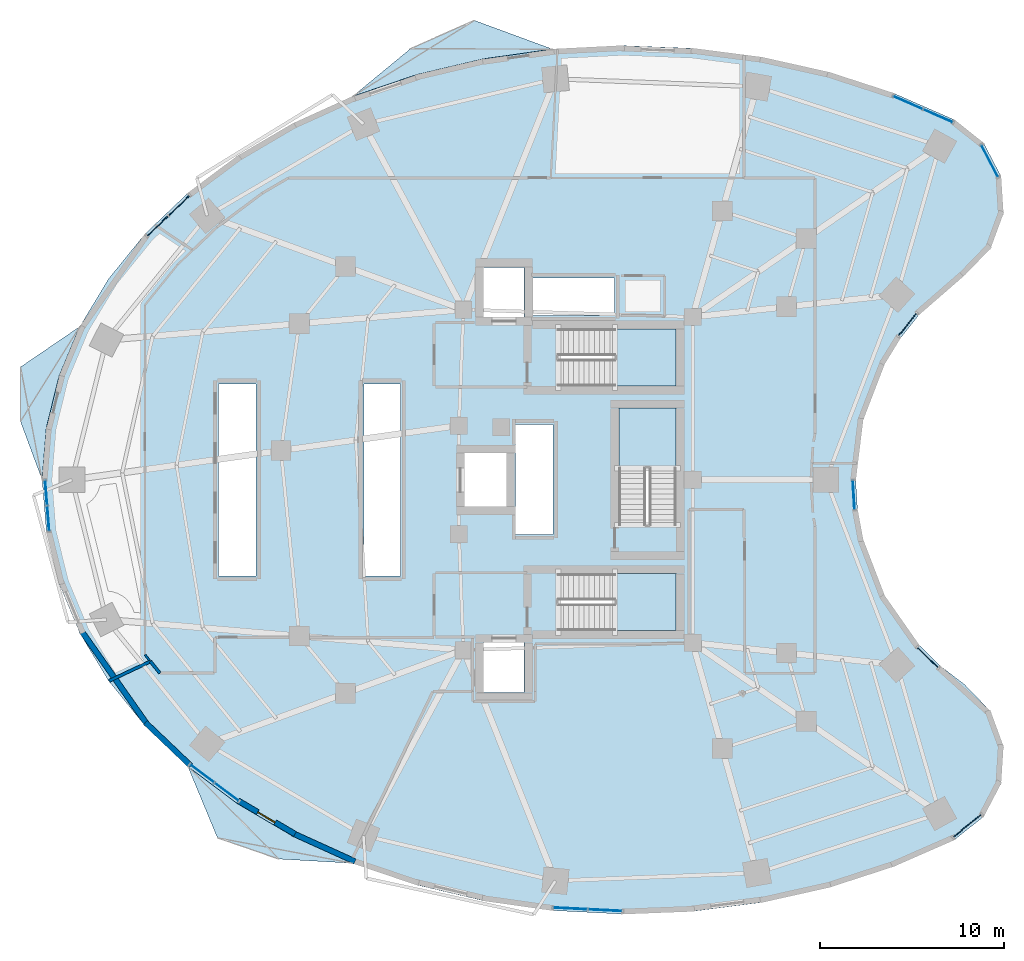
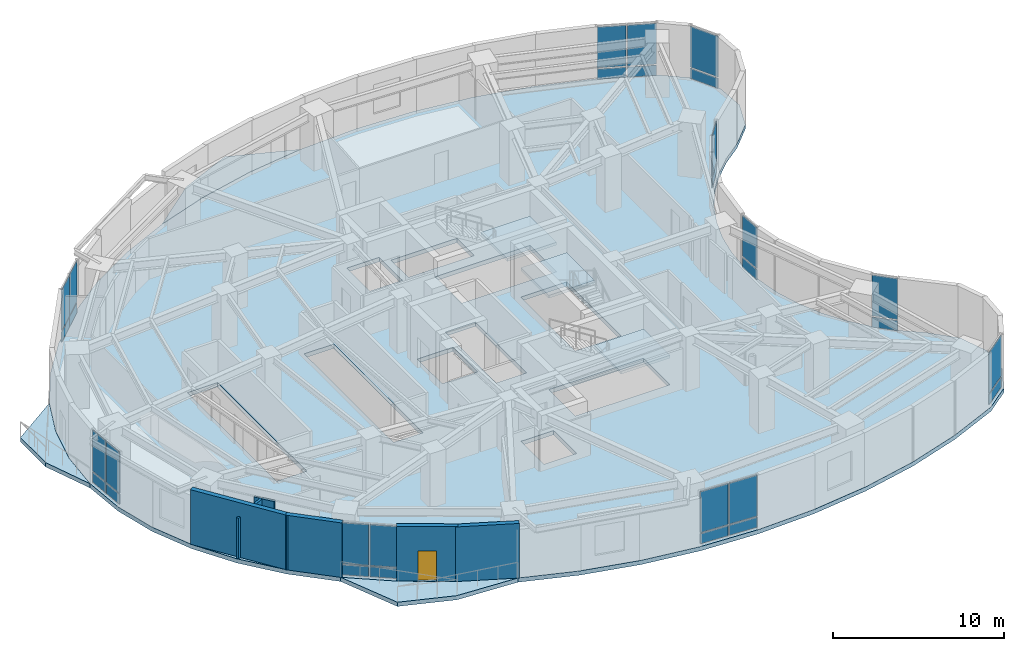
# One storey, part 7 of 13: 30 plates, 7 slabs, 7 walls, 1 door, 1 opening, 13 elements without a shape of their own.
"""IFC4 building model written with IfcOpenShell, lengths in metres."""

from ifc_helpers import new_model, si_unit, direction, frame, frame_2d, origin, origin_2d, place, context, subcontext, project, spatial, polyline, rectangle, outline, extrude, material, layer, layer_set, type_object, element, fill, aggregate, save


model = new_model("IFC4")

# Units and contexts
model_context = context("Model", 3, precision=1e-05, world=origin(), true_north=direction((0.0, 1.0)))
body_context = subcontext(model_context, "Body", "Model", "MODEL_VIEW")
ifc_project = project(units=[si_unit("LENGTHUNIT", "METRE"), si_unit("AREAUNIT", "SQUARE_METRE"), si_unit("VOLUMEUNIT", "CUBIC_METRE"), si_unit("PLANEANGLEUNIT", "RADIAN"), si_unit("MASSUNIT", "GRAM", prefix="KILO")], contexts=[model_context])

# Site, building, storey
site_placement = place(None, origin())
site = spatial("IfcSite", under=ifc_project, at=site_placement, CompositionType="ELEMENT")
building_placement = place(site_placement, origin())
building = spatial("IfcBuilding", under=site, at=building_placement, Name="Korentha Bioscience Tower", CompositionType="ELEMENT")
storey_placement = place(building_placement, frame((0.0, 0.0, 67.800048828125)))
storey = spatial("IfcBuildingStorey", under=building, at=storey_placement, Name="L15", CompositionType="ELEMENT", Elevation=67.800048828125)

# Curtain wall, plates
ifc_material_1 = material(Name="Thermally Broken Aluminium Frame", Category="aluminium")
ifc_layer_1 = layer(ifc_material_1, 0.219970703125, Name="Thermally Broken Aluminium Frame")
ifc_layer_set_1 = layer_set([ifc_layer_1], Name="Thermally Broken Aluminium Frame (CW-T1)")
curtain_wall_type = type_object("IfcCurtainWallType", Name="Standard Bioscience Lab Unitised Curtain Wall CW-T1", PredefinedType="USERDEFINED", material=ifc_layer_set_1)
curtain_wall_1_placement = place(storey_placement, origin())
curtain_wall_1 = element("IfcCurtainWall", 1, at=curtain_wall_1_placement, inside=storey, type_object=curtain_wall_type, Name="L15 Curtain Wall 01", ObjectType="UNITISED", PredefinedType="USERDEFINED")
ifc_material_2 = material(Name="Triple-Glazed Low-E Insulated Glass", Category="glass")
ifc_layer_2 = layer(ifc_material_2, 0.0439453125, Name="Triple-Glazed Low-E Insulated Glass")
ifc_layer_set_2 = layer_set([ifc_layer_2], Name="Triple-Glazed Low-E Insulated Glass (GL-44)")
plate_type = type_object("IfcPlateType", Name="Glazed Panel 44mm", PredefinedType="CURTAIN_PANEL", material=ifc_layer_set_2)
plate_1_placement = place(storey_placement, frame((50.893310546875, 46.780029296875, 0.08984375), z_axis=(0.0, 0.0, 1.0), x_axis=(-0.91593909057, 0.401317308828, 0.0)))
plate_1 = element("IfcPlate", 2, at=plate_1_placement, type_object=plate_type, Name="CW-L15-01 Bay 1 Glazed Panel 1", PredefinedType="CURTAIN_PANEL", context=body_context, shape_type="SweptSolid", body=[
    extrude(rectangle(XDim=1.701171875, YDim=0.0439453125, at=origin_2d()), origin(), (0.0, 0.0, 1.0), 0.715087890625),
])
plate_2_placement = place(storey_placement, frame((50.893310546875, 46.780029296875, 0.89501953125), z_axis=(0.0, 0.0, 1.0), x_axis=(-0.91593909057, 0.401317308828, 0.0)))
plate_2 = element("IfcPlate", 3, at=plate_2_placement, type_object=plate_type, Name="CW-L15-01 Bay 1 Glazed Panel 2", PredefinedType="CURTAIN_PANEL", context=body_context, shape_type="SweptSolid", body=[
    extrude(rectangle(XDim=1.701171875, YDim=0.0439453125, at=origin_2d()), origin(), (0.0, 0.0, 1.0), 2.9150390625),
])
plate_3_placement = place(storey_placement, frame((49.25244140625, 47.498779296875, 0.08984375), z_axis=(0.0, 0.0, 1.0), x_axis=(-0.91593909057, 0.401317308828, 0.0)))
plate_3 = element("IfcPlate", 4, at=plate_3_placement, type_object=plate_type, Name="CW-L15-01 Bay 2 Glazed Panel 1", PredefinedType="CURTAIN_PANEL", context=body_context, shape_type="SweptSolid", body=[
    extrude(rectangle(XDim=1.701171875, YDim=0.0439453125, at=origin_2d()), origin(), (0.0, 0.0, 1.0), 0.715087890625),
])
plate_4_placement = place(storey_placement, frame((49.25244140625, 47.498779296875, 0.89501953125), z_axis=(0.0, 0.0, 1.0), x_axis=(-0.91593909057, 0.401317308828, 0.0)))
plate_4 = element("IfcPlate", 5, at=plate_4_placement, type_object=plate_type, Name="CW-L15-01 Bay 2 Glazed Panel 2", PredefinedType="CURTAIN_PANEL", context=body_context, shape_type="SweptSolid", body=[
    extrude(rectangle(XDim=1.701171875, YDim=0.0439453125, at=origin_2d()), origin(), (0.0, 0.0, 1.0), 2.9150390625),
])
aggregate(curtain_wall_1, [plate_1, plate_2, plate_3, plate_4])

curtain_wall_2_placement = place(storey_placement, origin())
curtain_wall_2 = element("IfcCurtainWall", 6, at=curtain_wall_2_placement, inside=storey, type_object=curtain_wall_type, Name="L15 Curtain Wall 13", ObjectType="UNITISED", PredefinedType="USERDEFINED")
plate_5_placement = place(storey_placement, frame((9.643798828125, 41.9091796875, 0.08984375), z_axis=(0.0, 0.0, 1.0), x_axis=(-0.723641761581, -0.690175775361, 0.0)))
plate_5 = element("IfcPlate", 7, at=plate_5_placement, type_object=plate_type, Name="CW-L15-13 Bay 1 Glazed Panel 1", PredefinedType="CURTAIN_PANEL", context=body_context, shape_type="SweptSolid", body=[
    extrude(rectangle(XDim=1.5263671875, YDim=0.0439453125, at=origin_2d()), origin(), (0.0, 0.0, 1.0), 0.715087890625),
])
plate_6_placement = place(storey_placement, frame((9.643798828125, 41.9091796875, 0.89501953125), z_axis=(0.0, 0.0, 1.0), x_axis=(-0.723641761581, -0.690175775361, 0.0)))
plate_6 = element("IfcPlate", 8, at=plate_6_placement, type_object=plate_type, Name="CW-L15-13 Bay 1 Glazed Panel 2", PredefinedType="CURTAIN_PANEL", context=body_context, shape_type="SweptSolid", body=[
    extrude(rectangle(XDim=1.5263671875, YDim=0.0439453125, at=origin_2d()), origin(), (0.0, 0.0, 1.0), 2.9150390625),
])
plate_7_placement = place(storey_placement, frame((8.47412109375, 40.793701171875, 0.08984375), z_axis=(0.0, 0.0, 1.0), x_axis=(-0.723641761581, -0.690175775361, 0.0)))
plate_7 = element("IfcPlate", 9, at=plate_7_placement, type_object=plate_type, Name="CW-L15-13 Bay 2 Glazed Panel 1", PredefinedType="CURTAIN_PANEL", context=body_context, shape_type="SweptSolid", body=[
    extrude(rectangle(XDim=1.5263671875, YDim=0.0439453125, at=origin_2d()), origin(), (0.0, 0.0, 1.0), 0.715087890625),
])
plate_8_placement = place(storey_placement, frame((8.47412109375, 40.793701171875, 0.89501953125), z_axis=(0.0, 0.0, 1.0), x_axis=(-0.723641761581, -0.690175775361, 0.0)))
plate_8 = element("IfcPlate", 10, at=plate_8_placement, type_object=plate_type, Name="CW-L15-13 Bay 2 Glazed Panel 2", PredefinedType="CURTAIN_PANEL", context=body_context, shape_type="SweptSolid", body=[
    extrude(rectangle(XDim=1.5263671875, YDim=0.0439453125, at=origin_2d()), origin(), (0.0, 0.0, 1.0), 2.9150390625),
])
aggregate(curtain_wall_2, [plate_5, plate_6, plate_7, plate_8])

curtain_wall_3_placement = place(storey_placement, origin())
curtain_wall_3 = element("IfcCurtainWall", 11, at=curtain_wall_3_placement, inside=storey, type_object=curtain_wall_type, Name="L15 Curtain Wall 19", ObjectType="UNITISED", PredefinedType="USERDEFINED")
plate_9_placement = place(storey_placement, frame((2.4169921875, 26.302734375, 0.08984375), z_axis=(0.0, 0.0, 1.0), x_axis=(0.080820466375, -0.996728675325, 0.0)))
plate_9 = element("IfcPlate", 12, at=plate_9_placement, type_object=plate_type, Name="CW-L15-19 Bay 1 Glazed Panel 1", PredefinedType="CURTAIN_PANEL", context=body_context, shape_type="SweptSolid", body=[
    extrude(rectangle(XDim=1.324951171875, YDim=0.0439453125, at=origin_2d()), origin(), (0.0, 0.0, 1.0), 0.715087890625),
])
plate_10_placement = place(storey_placement, frame((2.4169921875, 26.302734375, 0.89501953125), z_axis=(0.0, 0.0, 1.0), x_axis=(0.080820466375, -0.996728675325, 0.0)))
plate_10 = element("IfcPlate", 13, at=plate_10_placement, type_object=plate_type, Name="CW-L15-19 Bay 1 Glazed Panel 2", PredefinedType="CURTAIN_PANEL", context=body_context, shape_type="SweptSolid", body=[
    extrude(rectangle(XDim=1.324951171875, YDim=0.0439453125, at=origin_2d()), origin(), (0.0, 0.0, 1.0), 2.9150390625),
])
plate_11_placement = place(storey_placement, frame((2.531494140625, 24.892333984375, 0.08984375), z_axis=(0.0, 0.0, 1.0), x_axis=(0.080820466375, -0.996728675325, 0.0)))
plate_11 = element("IfcPlate", 14, at=plate_11_placement, type_object=plate_type, Name="CW-L15-19 Bay 2 Glazed Panel 1", PredefinedType="CURTAIN_PANEL", context=body_context, shape_type="SweptSolid", body=[
    extrude(rectangle(XDim=1.324951171875, YDim=0.0439453125, at=origin_2d()), origin(), (0.0, 0.0, 1.0), 0.715087890625),
])
plate_12_placement = place(storey_placement, frame((2.531494140625, 24.892333984375, 0.89501953125), z_axis=(0.0, 0.0, 1.0), x_axis=(0.080820466375, -0.996728675325, 0.0)))
plate_12 = element("IfcPlate", 15, at=plate_12_placement, type_object=plate_type, Name="CW-L15-19 Bay 2 Glazed Panel 2", PredefinedType="CURTAIN_PANEL", context=body_context, shape_type="SweptSolid", body=[
    extrude(rectangle(XDim=1.324951171875, YDim=0.0439453125, at=origin_2d()), origin(), (0.0, 0.0, 1.0), 2.9150390625),
])
aggregate(curtain_wall_3, [plate_9, plate_10, plate_11, plate_12])

curtain_wall_4_placement = place(storey_placement, origin())
curtain_wall_4 = element("IfcCurtainWall", 16, at=curtain_wall_4_placement, inside=storey, type_object=curtain_wall_type, Name="L15 Curtain Wall 25", ObjectType="UNITISED", PredefinedType="USERDEFINED")
plate_13_placement = place(storey_placement, frame((10.892578125, 11.037109375, 0.08984375), z_axis=(0.0, 0.0, 1.0), x_axis=(0.800797909614, -0.598934644145, 0.0)))
plate_13 = element("IfcPlate", 17, at=plate_13_placement, type_object=plate_type, Name="CW-L15-25 Bay 1 Glazed Panel 1", PredefinedType="CURTAIN_PANEL", context=body_context, shape_type="SweptSolid", body=[
    extrude(rectangle(XDim=1.58544921875, YDim=0.0439453125, at=origin_2d()), origin(), (0.0, 0.0, 1.0), 0.715087890625),
])
plate_14_placement = place(storey_placement, frame((10.892578125, 11.037109375, 0.89501953125), z_axis=(0.0, 0.0, 1.0), x_axis=(0.800797909614, -0.598934644145, 0.0)))
plate_14 = element("IfcPlate", 18, at=plate_14_placement, type_object=plate_type, Name="CW-L15-25 Bay 1 Glazed Panel 2", PredefinedType="CURTAIN_PANEL", context=body_context, shape_type="SweptSolid", body=[
    extrude(rectangle(XDim=1.58544921875, YDim=0.0439453125, at=origin_2d()), origin(), (0.0, 0.0, 1.0), 2.9150390625),
])
plate_15_placement = place(storey_placement, frame((12.234375, 10.033447265625, 0.08984375), z_axis=(0.0, 0.0, 1.0), x_axis=(0.800797909614, -0.598934644145, 0.0)))
plate_15 = element("IfcPlate", 19, at=plate_15_placement, type_object=plate_type, Name="CW-L15-25 Bay 2 Glazed Panel 1", PredefinedType="CURTAIN_PANEL", context=body_context, shape_type="SweptSolid", body=[
    extrude(rectangle(XDim=1.58544921875, YDim=0.0439453125, at=origin_2d()), origin(), (0.0, 0.0, 1.0), 0.715087890625),
])
plate_16_placement = place(storey_placement, frame((12.234375, 10.033447265625, 0.89501953125), z_axis=(0.0, 0.0, 1.0), x_axis=(0.800797909614, -0.598934644145, 0.0)))
plate_16 = element("IfcPlate", 20, at=plate_16_placement, type_object=plate_type, Name="CW-L15-25 Bay 2 Glazed Panel 2", PredefinedType="CURTAIN_PANEL", context=body_context, shape_type="SweptSolid", body=[
    extrude(rectangle(XDim=1.58544921875, YDim=0.0439453125, at=origin_2d()), origin(), (0.0, 0.0, 1.0), 2.9150390625),
])
aggregate(curtain_wall_4, [plate_13, plate_14, plate_15, plate_16])

curtain_wall_5_placement = place(storey_placement, origin())
curtain_wall_5 = element("IfcCurtainWall", 21, at=curtain_wall_5_placement, inside=storey, type_object=curtain_wall_type, Name="L15 Curtain Wall 31", ObjectType="UNITISED", PredefinedType="USERDEFINED")
plate_17_placement = place(storey_placement, frame((30.90478515625, 3.70458984375, 0.08984375), z_axis=(0.0, 0.0, 1.0), x_axis=(0.998730551641, -0.050371472279, 0.0)))
plate_17 = element("IfcPlate", 22, at=plate_17_placement, type_object=plate_type, Name="CW-L15-31 Bay 1 Glazed Panel 1", PredefinedType="CURTAIN_PANEL", context=body_context, shape_type="SweptSolid", body=[
    extrude(rectangle(XDim=1.8134765625, YDim=0.0439453125, at=origin_2d()), origin(), (0.0, 0.0, 1.0), 0.715087890625),
])
plate_18_placement = place(storey_placement, frame((30.90478515625, 3.70458984375, 0.89501953125), z_axis=(0.0, 0.0, 1.0), x_axis=(0.998730551641, -0.050371472279, 0.0)))
plate_18 = element("IfcPlate", 23, at=plate_18_placement, type_object=plate_type, Name="CW-L15-31 Bay 1 Glazed Panel 2", PredefinedType="CURTAIN_PANEL", context=body_context, shape_type="SweptSolid", body=[
    extrude(rectangle(XDim=1.8134765625, YDim=0.0439453125, at=origin_2d()), origin(), (0.0, 0.0, 1.0), 2.9150390625),
])
plate_19_placement = place(storey_placement, frame((32.805908203125, 3.608642578125, 0.08984375), z_axis=(0.0, 0.0, 1.0), x_axis=(0.998730551641, -0.050371472279, 0.0)))
plate_19 = element("IfcPlate", 24, at=plate_19_placement, type_object=plate_type, Name="CW-L15-31 Bay 2 Glazed Panel 1", PredefinedType="CURTAIN_PANEL", context=body_context, shape_type="SweptSolid", body=[
    extrude(rectangle(XDim=1.8134765625, YDim=0.0439453125, at=origin_2d()), origin(), (0.0, 0.0, 1.0), 0.715087890625),
])
plate_20_placement = place(storey_placement, frame((32.805908203125, 3.608642578125, 0.89501953125), z_axis=(0.0, 0.0, 1.0), x_axis=(0.998730551641, -0.050371472279, 0.0)))
plate_20 = element("IfcPlate", 25, at=plate_20_placement, type_object=plate_type, Name="CW-L15-31 Bay 2 Glazed Panel 2", PredefinedType="CURTAIN_PANEL", context=body_context, shape_type="SweptSolid", body=[
    extrude(rectangle(XDim=1.8134765625, YDim=0.0439453125, at=origin_2d()), origin(), (0.0, 0.0, 1.0), 2.9150390625),
])
aggregate(curtain_wall_5, [plate_17, plate_18, plate_19, plate_20])

curtain_wall_6_placement = place(storey_placement, origin())
curtain_wall_6 = element("IfcCurtainWall", 26, at=curtain_wall_6_placement, inside=storey, type_object=curtain_wall_type, Name="L15 Curtain Wall 37", ObjectType="UNITISED", PredefinedType="USERDEFINED")
plate_21_placement = place(storey_placement, frame((52.4755859375, 8.19140625, 0.08984375), z_axis=(0.0, 0.0, 1.0), x_axis=(0.782287851332, 0.62291710336, 0.0)))
plate_21 = element("IfcPlate", 27, at=plate_21_placement, type_object=plate_type, Name="CW-L15-37 Bay 1 Glazed Panel 1", PredefinedType="CURTAIN_PANEL", context=body_context, shape_type="SweptSolid", body=[
    extrude(rectangle(XDim=1.927734375, YDim=0.0439453125, at=origin_2d()), origin(), (0.0, 0.0, 1.0), 0.715087890625),
])
plate_22_placement = place(storey_placement, frame((52.4755859375, 8.19140625, 0.89501953125), z_axis=(0.0, 0.0, 1.0), x_axis=(0.782287851332, 0.62291710336, 0.0)))
plate_22 = element("IfcPlate", 28, at=plate_22_placement, type_object=plate_type, Name="CW-L15-37 Bay 1 Glazed Panel 2", PredefinedType="CURTAIN_PANEL", context=body_context, shape_type="SweptSolid", body=[
    extrude(rectangle(XDim=1.927734375, YDim=0.0439453125, at=origin_2d()), origin(), (0.0, 0.0, 1.0), 2.9150390625),
])
aggregate(curtain_wall_6, [plate_21, plate_22])

curtain_wall_7_placement = place(storey_placement, origin())
curtain_wall_7 = element("IfcCurtainWall", 29, at=curtain_wall_7_placement, inside=storey, type_object=curtain_wall_type, Name="L15 Curtain Wall 43", ObjectType="UNITISED", PredefinedType="USERDEFINED")
plate_23_placement = place(storey_placement, frame((50.333251953125, 17.335693359375, 0.08984375), z_axis=(0.0, 0.0, 1.0), x_axis=(-0.713279246754, 0.700879958445, 0.0)))
plate_23 = element("IfcPlate", 30, at=plate_23_placement, type_object=plate_type, Name="CW-L15-43 Bay 1 Glazed Panel 1", PredefinedType="CURTAIN_PANEL", context=body_context, shape_type="SweptSolid", body=[
    extrude(rectangle(XDim=1.537841796875, YDim=0.0439453125, at=origin_2d()), origin(), (0.0, 0.0, 1.0), 0.715087890625),
])
plate_24_placement = place(storey_placement, frame((50.333251953125, 17.335693359375, 0.89501953125), z_axis=(0.0, 0.0, 1.0), x_axis=(-0.713279246754, 0.700879958445, 0.0)))
plate_24 = element("IfcPlate", 31, at=plate_24_placement, type_object=plate_type, Name="CW-L15-43 Bay 1 Glazed Panel 2", PredefinedType="CURTAIN_PANEL", context=body_context, shape_type="SweptSolid", body=[
    extrude(rectangle(XDim=1.537841796875, YDim=0.0439453125, at=origin_2d()), origin(), (0.0, 0.0, 1.0), 2.9150390625),
])
aggregate(curtain_wall_7, [plate_23, plate_24])

curtain_wall_8_placement = place(storey_placement, origin())
curtain_wall_8 = element("IfcCurtainWall", 32, at=curtain_wall_8_placement, inside=storey, type_object=curtain_wall_type, Name="L15 Curtain Wall 49", ObjectType="UNITISED", PredefinedType="USERDEFINED")
plate_25_placement = place(storey_placement, frame((46.305908203125, 26.1728515625, 0.08984375), z_axis=(0.0, 0.0, 1.0), x_axis=(-0.061008272998, 0.998137260413, 0.0)))
plate_25 = element("IfcPlate", 33, at=plate_25_placement, type_object=plate_type, Name="CW-L15-49 Bay 1 Glazed Panel 1", PredefinedType="CURTAIN_PANEL", context=body_context, shape_type="SweptSolid", body=[
    extrude(rectangle(XDim=1.537841796875, YDim=0.0439453125, at=origin_2d()), origin(), (0.0, 0.0, 1.0), 0.715087890625),
])
plate_26_placement = place(storey_placement, frame((46.305908203125, 26.1728515625, 0.89501953125), z_axis=(0.0, 0.0, 1.0), x_axis=(-0.061008272998, 0.998137260413, 0.0)))
plate_26 = element("IfcPlate", 34, at=plate_26_placement, type_object=plate_type, Name="CW-L15-49 Bay 1 Glazed Panel 2", PredefinedType="CURTAIN_PANEL", context=body_context, shape_type="SweptSolid", body=[
    extrude(rectangle(XDim=1.537841796875, YDim=0.0439453125, at=origin_2d()), origin(), (0.0, 0.0, 1.0), 2.9150390625),
])
aggregate(curtain_wall_8, [plate_25, plate_26])

curtain_wall_9_placement = place(storey_placement, origin())
curtain_wall_9 = element("IfcCurtainWall", 35, at=curtain_wall_9_placement, inside=storey, type_object=curtain_wall_type, Name="L15 Curtain Wall 55", ObjectType="UNITISED", PredefinedType="USERDEFINED")
plate_27_placement = place(storey_placement, frame((49.226318359375, 35.434814453125, 0.08984375), z_axis=(0.0, 0.0, 1.0), x_axis=(0.622520324648, 0.782603632371, 0.0)))
plate_27 = element("IfcPlate", 36, at=plate_27_placement, type_object=plate_type, Name="CW-L15-55 Bay 1 Glazed Panel 1", PredefinedType="CURTAIN_PANEL", context=body_context, shape_type="SweptSolid", body=[
    extrude(rectangle(XDim=1.537841796875, YDim=0.0439453125, at=origin_2d()), origin(), (0.0, 0.0, 1.0), 0.715087890625),
])
plate_28_placement = place(storey_placement, frame((49.226318359375, 35.434814453125, 0.89501953125), z_axis=(0.0, 0.0, 1.0), x_axis=(0.622520324648, 0.782603632371, 0.0)))
plate_28 = element("IfcPlate", 37, at=plate_28_placement, type_object=plate_type, Name="CW-L15-55 Bay 1 Glazed Panel 2", PredefinedType="CURTAIN_PANEL", context=body_context, shape_type="SweptSolid", body=[
    extrude(rectangle(XDim=1.537841796875, YDim=0.0439453125, at=origin_2d()), origin(), (0.0, 0.0, 1.0), 2.9150390625),
])
aggregate(curtain_wall_9, [plate_27, plate_28])

curtain_wall_10_placement = place(storey_placement, origin())
curtain_wall_10 = element("IfcCurtainWall", 38, at=curtain_wall_10_placement, inside=storey, type_object=curtain_wall_type, Name="L15 Curtain Wall 61", ObjectType="UNITISED", PredefinedType="USERDEFINED")
plate_29_placement = place(storey_placement, frame((53.6962890625, 44.32958984375, 0.08984375), z_axis=(0.0, 0.0, 1.0), x_axis=(-0.463008597697, 0.886353788539, 0.0)))
plate_29 = element("IfcPlate", 39, at=plate_29_placement, type_object=plate_type, Name="CW-L15-61 Bay 1 Glazed Panel 1", PredefinedType="CURTAIN_PANEL", context=body_context, shape_type="SweptSolid", body=[
    extrude(rectangle(XDim=1.927734375, YDim=0.0439453125, at=origin_2d()), origin(), (0.0, 0.0, 1.0), 0.715087890625),
])
plate_30_placement = place(storey_placement, frame((53.6962890625, 44.32958984375, 0.89501953125), z_axis=(0.0, 0.0, 1.0), x_axis=(-0.463008597697, 0.886353788539, 0.0)))
plate_30 = element("IfcPlate", 40, at=plate_30_placement, type_object=plate_type, Name="CW-L15-61 Bay 1 Glazed Panel 2", PredefinedType="CURTAIN_PANEL", context=body_context, shape_type="SweptSolid", body=[
    extrude(rectangle(XDim=1.927734375, YDim=0.0439453125, at=origin_2d()), origin(), (0.0, 0.0, 1.0), 2.9150390625),
])
aggregate(curtain_wall_10, [plate_29, plate_30])

# Slab
ifc_material_3 = material(Name="Concrete C50", Category="concrete")
ifc_layer_3 = layer(ifc_material_3, 0.300048828125, Name="Concrete C50")
ifc_layer_set_3 = layer_set([ifc_layer_3], Name="Concrete C50 (SL-L300)")
slab_type_1 = type_object("IfcSlabType", Name="Laboratory Vibration-Controlled Slab 300", PredefinedType="FLOOR", material=ifc_layer_set_3)
slab_1_placement = place(storey_placement, frame((0.0, 0.0, -0.300048828125)))
element("IfcSlab", 41, at=slab_1_placement, inside=storey, type_object=slab_type_1, Name="L15 Tower Structural Floor Slab", PredefinedType="FLOOR", context=body_context, shape_type="SweptSolid", body=[
    extrude(outline(polyline([(51.7822265625, 46.565185546875), (48.49169921875, 48.0068359375), (44.9921875, 49.145263671875), (41.33349609375, 49.9638671875), (37.569091796875, 50.450927734375), (33.75341796875, 50.599365234375), (29.94091796875, 50.406982421875), (26.187255859375, 49.876708984375), (22.54638671875, 49.01611328125), (19.07080078125, 47.837646484375), (15.810791015625, 46.358154296875), (12.8134765625, 44.599365234375), (10.1220703125, 42.58642578125), (7.775390625, 40.348388671875), (5.807373046875, 37.91748046875), (4.246337890625, 35.3291015625), (3.114990234375, 32.62060546875), (2.4296875, 29.830810546875), (2.199951171875, 27.0), (2.4296875, 24.169189453125), (3.114990234375, 21.37939453125), (4.246337890625, 18.6708984375), (5.807373046875, 16.08251953125), (7.775390625, 13.651611328125), (10.1220703125, 11.41357421875), (12.8134765625, 9.400634765625), (15.810791015625, 7.641845703125), (19.07080078125, 6.162353515625), (22.54638671875, 4.98388671875), (26.187255859375, 4.123291015625), (29.94091796875, 3.593017578125), (33.75341796875, 3.400634765625), (37.569091796875, 3.549072265625), (41.33349609375, 4.0361328125), (44.9921875, 4.854736328125), (48.49169921875, 5.9931640625), (51.7822265625, 7.434814453125), (53.368408203125, 8.69775390625), (54.307373046875, 10.4951171875), (54.4384765625, 12.518310546875), (53.739013671875, 14.421630859375), (52.3291015625, 15.878662109375), (51.029541015625, 16.875732421875), (49.861328125, 18.023681640625), (48.841796875, 19.3056640625), (47.98583984375, 20.7021484375), (47.306640625, 22.192626953125), (46.814208984375, 23.754638671875), (46.515625, 25.365234375), (46.415771484375, 27.0), (46.515625, 28.634765625), (46.814208984375, 30.245361328125), (47.306640625, 31.807373046875), (47.98583984375, 33.2978515625), (48.841796875, 34.6943359375), (49.861328125, 35.976318359375), (51.029541015625, 37.124267578125), (52.3291015625, 38.121337890625), (53.739013671875, 39.578369140625), (54.4384765625, 41.481689453125), (54.307373046875, 43.5048828125), (53.368408203125, 45.30224609375), (51.7822265625, 46.565185546875)]), holes=[polyline([(30.25, 32.10009765625), (36.64990234375, 32.10009765625), (36.64990234375, 35.199951171875), (30.25, 35.199951171875), (30.25, 32.10009765625)]), polyline([(30.25, 18.800048828125), (36.64990234375, 18.800048828125), (36.64990234375, 21.89990234375), (30.25, 21.89990234375), (30.25, 18.800048828125)]), polyline([(36.64990234375, 24.550048828125), (36.64990234375, 30.89990234375), (33.550048828125, 30.89990234375), (33.550048828125, 24.550048828125), (36.64990234375, 24.550048828125)]), polyline([(11.780029296875, 21.780029296875), (13.820068359375, 21.780029296875), (13.820068359375, 32.219970703125), (11.780029296875, 32.219970703125), (11.780029296875, 21.780029296875)]), polyline([(19.679931640625, 21.780029296875), (21.669921875, 21.780029296875), (21.669921875, 32.219970703125), (19.679931640625, 32.219970703125), (19.679931640625, 21.780029296875)]), polyline([(27.929931640625, 24.030029296875), (29.969970703125, 24.030029296875), (29.969970703125, 30.02001953125), (27.929931640625, 30.02001953125), (27.929931640625, 24.030029296875)]), polyline([(28.860107421875, 35.93994140625), (33.31005859375, 35.93994140625), (33.31005859375, 37.9599609375), (28.860107421875, 37.9599609375), (28.860107421875, 35.93994140625)]), polyline([(26.199951171875, 15.449951171875), (28.39990234375, 15.449951171875), (28.39990234375, 18.14990234375), (26.199951171875, 18.14990234375), (26.199951171875, 15.449951171875)]), polyline([(26.199951171875, 35.85009765625), (28.39990234375, 35.85009765625), (28.39990234375, 38.550048828125), (26.199951171875, 38.550048828125), (26.199951171875, 35.85009765625)]), polyline([(25.14990234375, 25.550048828125), (27.550048828125, 25.550048828125), (27.550048828125, 28.449951171875), (25.14990234375, 28.449951171875), (25.14990234375, 25.550048828125)])]), origin(), (0.0, 0.0, 1.0), 0.300048828125),
])

# Stair, slab
ifc_material_4 = material(Name="Precast Concrete C50", Category="concrete")
stair_type = type_object("IfcStairType", Name="Core Exit Dog-Leg Stair 1450", PredefinedType="HALF_TURN_STAIR", material=ifc_material_4)
stair_1_placement = place(storey_placement, origin())
stair_1 = element("IfcStair", 42, at=stair_1_placement, inside=storey, type_object=stair_type, Name="L15 Tower North Pressurized Exit Stair ST-1", PredefinedType="HALF_TURN_STAIR")
ifc_layer_4 = layer(ifc_material_3, 0.199951171875, Name="Concrete C50")
ifc_layer_set_4 = layer_set([ifc_layer_4], Name="Concrete C50 (SL-LND)")
slab_type_2 = type_object("IfcSlabType", Name="Landing Slab 200", PredefinedType="LANDING", material=ifc_layer_set_4)
slab_2_placement = place(storey_placement, frame((0.0, 0.0, 1.89990234375)))
slab_2 = element("IfcSlab", 43, at=slab_2_placement, type_object=slab_type_2, Name="ST-1 landing 1", PredefinedType="LANDING", context=body_context, shape_type="SweptSolid", body=[
    extrude(outline(polyline([(33.330078125, 32.10009765625), (36.64990234375, 32.10009765625), (36.64990234375, 35.199951171875), (33.330078125, 35.199951171875), (33.330078125, 32.10009765625)])), origin(), (0.0, 0.0, 1.0), 0.199951171875),
])
aggregate(stair_1, [slab_2])

stair_2_placement = place(storey_placement, origin())
stair_2 = element("IfcStair", 44, at=stair_2_placement, inside=storey, type_object=stair_type, Name="L15 Tower South Pressurized Exit Stair ST-2", PredefinedType="HALF_TURN_STAIR")
slab_3_placement = place(storey_placement, frame((0.0, 0.0, 1.89990234375)))
slab_3 = element("IfcSlab", 45, at=slab_3_placement, type_object=slab_type_2, Name="ST-2 landing 1", PredefinedType="LANDING", context=body_context, shape_type="SweptSolid", body=[
    extrude(outline(polyline([(33.330078125, 18.800048828125), (36.64990234375, 18.800048828125), (36.64990234375, 21.89990234375), (33.330078125, 21.89990234375), (33.330078125, 18.800048828125)])), origin(), (0.0, 0.0, 1.0), 0.199951171875),
])
aggregate(stair_2, [slab_3])

stair_3_placement = place(storey_placement, origin())
stair_3 = element("IfcStair", 46, at=stair_3_placement, inside=storey, type_object=stair_type, Name="L15 Tower Central Pressurized Exit Stair ST-3", PredefinedType="HALF_TURN_STAIR")
slab_4_placement = place(storey_placement, frame((0.0, 0.0, 1.89990234375)))
slab_4 = element("IfcSlab", 47, at=slab_4_placement, type_object=slab_type_2, Name="ST-3 landing 1", PredefinedType="LANDING", context=body_context, shape_type="SweptSolid", body=[
    extrude(outline(polyline([(36.64990234375, 27.6298828125), (36.64990234375, 30.89990234375), (33.550048828125, 30.89990234375), (33.550048828125, 27.6298828125), (36.64990234375, 27.6298828125)])), origin(), (0.0, 0.0, 1.0), 0.199951171875),
])
aggregate(stair_3, [slab_4])

# Slabs
ifc_layer_5 = layer(ifc_material_3, 0.300048828125, Name="Concrete C50")
ifc_layer_set_5 = layer_set([ifc_layer_5], Name="Concrete C50 (BS-240)")
slab_type_3 = type_object("IfcSlabType", Name="Sawtooth Sun-Ledge Balcony Slab 240", PredefinedType="USERDEFINED", material=ifc_layer_set_5)
slab_5_placement = place(storey_placement, frame((0.0, 0.0, -0.300048828125)))
element("IfcSlab", 48, at=slab_5_placement, inside=storey, type_object=slab_type_3, Name="L15 Sun-Ledge Balcony 01", ObjectType="BALCONY", PredefinedType="USERDEFINED", context=body_context, shape_type="SweptSolid", body=[
    extrude(outline(polyline([(19.07080078125, 47.837646484375), (22.54638671875, 49.01611328125), (26.187255859375, 49.876708984375), (29.94091796875, 50.406982421875), (25.692626953125, 51.968994140625), (22.212890625, 50.42724609375), (19.07080078125, 47.837646484375)])), origin(), (0.0, 0.0, 1.0), 0.300048828125),
])
slab_6_placement = place(storey_placement, frame((0.0, 0.0, -0.300048828125)))
element("IfcSlab", 49, at=slab_6_placement, inside=storey, type_object=slab_type_3, Name="L15 Sun-Ledge Balcony 02", ObjectType="BALCONY", PredefinedType="USERDEFINED", context=body_context, shape_type="SweptSolid", body=[
    extrude(outline(polyline([(2.199951171875, 27.0), (2.4296875, 29.830810546875), (3.114990234375, 32.62060546875), (4.246337890625, 35.3291015625), (1.027099609375, 33.133544921875), (1.021484375, 30.176513671875), (2.199951171875, 27.0)])), origin(), (0.0, 0.0, 1.0), 0.300048828125),
])
slab_7_placement = place(storey_placement, frame((0.0, 0.0, -0.300048828125)))
element("IfcSlab", 50, at=slab_7_placement, inside=storey, type_object=slab_type_3, Name="L15 Sun-Ledge Balcony 03", ObjectType="BALCONY", PredefinedType="USERDEFINED", context=body_context, shape_type="SweptSolid", body=[
    extrude(outline(polyline([(19.07080078125, 6.162353515625), (15.810791015625, 7.641845703125), (12.8134765625, 9.400634765625), (10.1220703125, 11.41357421875), (11.725341796875, 7.54638671875), (15.076904296875, 6.39111328125), (19.07080078125, 6.162353515625)])), origin(), (0.0, 0.0, 1.0), 0.300048828125),
])

# Walls
ifc_material_5 = material(Name="Fire-Rated Framed Glass", Category="glass")
ifc_layer_6 = layer(ifc_material_5, 0.110107421875, Name="Fire-Rated Framed Glass")
ifc_layer_set_6 = layer_set([ifc_layer_6], Name="Fire-Rated Framed Glass (IW-G110)")
wall_type_1 = type_object("IfcWallType", Name="Demountable Glazed Office Partition 110", PredefinedType="MOVABLE", material=ifc_layer_set_6)
wall_1_placement = place(storey_placement, frame((7.792236328125, 17.492431640625, 0.0), z_axis=(0.0, 0.0, 1.0), x_axis=(0.629086970035, -0.77733492404, 0.0)))
element("IfcWall", 51, at=wall_1_placement, inside=storey, type_object=wall_type_1, Name="L15 Interior Partition 045", PredefinedType="MOVABLE", context=body_context, shape_type="SweptSolid", body=[
    extrude(rectangle(XDim=0.378662109375, YDim=0.110107421875, at=frame_2d((0.189453125, 0.0))), origin(), (0.0, 0.0, 1.0), 2.909912109375),
])
ifc_material_6 = material(Name="Gypsum-Clad Steel Stud", Category="steel")
ifc_layer_7 = layer(ifc_material_6, 0.159912109375, Name="Gypsum-Clad Steel Stud")
ifc_layer_set_7 = layer_set([ifc_layer_7], Name="Gypsum-Clad Steel Stud (IW-C160)")
wall_type_2 = type_object("IfcWallType", Name="Fire-Rated Corridor Partition Wall 160", PredefinedType="PARTITIONING", material=ifc_layer_set_7)
wall_2_placement = place(storey_placement, frame((5.848388671875, 16.07568359375, 0.0), z_axis=(0.0, 0.0, 1.0), x_axis=(0.904251823465, 0.426999578173, 0.0)))
element("IfcWall", 52, at=wall_2_placement, inside=storey, type_object=wall_type_2, Name="L15 Interior Partition 010", PredefinedType="PARTITIONING", context=body_context, shape_type="SweptSolid", body=[
    extrude(rectangle(XDim=2.472900390625, YDim=0.159912109375, at=frame_2d((1.236328125, 0.0))), origin(), (0.0, 0.0, 1.0), 2.909912109375),
])
wall_3_placement = place(storey_placement, frame((8.08447265625, 17.131591796875, 0.0), z_axis=(0.0, 0.0, 1.0), x_axis=(0.629146883335, -0.77728643317, 0.0)))
element("IfcWall", 53, at=wall_3_placement, inside=storey, type_object=wall_type_2, Name="L15 Interior Partition 011", PredefinedType="PARTITIONING", context=body_context, shape_type="SweptSolid", body=[
    extrude(rectangle(XDim=0.82080078125, YDim=0.159912109375, at=frame_2d((0.410400390625, 0.0))), origin(), (0.0, 0.0, 1.0), 2.909912109375),
])

# Wall, opening, door
ifc_material_7 = material(Name="Honed Limestone Precast Concrete C40", Category="masonry")
ifc_layer_8 = layer(ifc_material_7, 0.300048828125, Name="Honed Limestone Precast Concrete C40")
ifc_layer_set_8 = layer_set([ifc_layer_8], Name="Honed Limestone Precast Concrete C40 (EW-ST300)")
wall_type_3 = type_object("IfcWallType", Name="Honed Limestone Cavity Spandrel Wall 300", PredefinedType="STANDARD", material=ifc_layer_set_8)
wall_4_placement = place(storey_placement, frame((12.8427734375, 9.569091796875, 0.0), z_axis=(0.0, 0.0, 1.0), x_axis=(0.862473134325, -0.506102847817, 0.0)))
wall_4 = element("IfcWall", 54, at=wall_4_placement, inside=storey, type_object=wall_type_3, Name="L15 Balcony Threshold Wall 03", PredefinedType="STANDARD", context=body_context, shape_type="SweptSolid", body=[
    extrude(rectangle(XDim=3.59521484375, YDim=0.300048828125, at=frame_2d((1.797607421875, 0.0))), origin(), (0.0, 0.0, 1.0), 3.89990234375),
])
opening_placement = place(wall_4_placement, frame((1.24755859375, 0.0, 0.0)))
opening = element("IfcOpeningElement", 55, at=opening_placement, cuts=wall_4, Name="Opening BD-11L", PredefinedType="OPENING", context=body_context, shape_type="SweptSolid", body=[
    extrude(rectangle(XDim=1.10009765625, YDim=2.14990234375, at=frame_2d((0.550048828125, 1.074951171875))), frame((0.0, 0.1650390625, 0.0), z_axis=(0.0, -1.0, 0.0), x_axis=(1.0, 0.0, 0.0)), (0.0, 0.0, 1.0), 0.329833984375),
])
ifc_material_8 = material(Name="Thermally Broken Glazed Aluminium", Category="aluminium")
door_type = type_object("IfcDoorType", Name="Balcony Terrace Glazed Door 1100x2150 Left", OperationType="SINGLE_SWING_LEFT", PredefinedType="DOOR", material=ifc_material_8)
door_placement = place(opening_placement, origin())
door = element("IfcDoor", 56, at=door_placement, inside=storey, type_object=door_type, Name="L15 Balcony Access Door 03", OperationType="SINGLE_SWING_LEFT", OverallHeight=2.14990234375, OverallWidth=1.10009765625, PredefinedType="DOOR", context=body_context, shape_type="SweptSolid", body=[
    extrude(rectangle(XDim=1.10009765625, YDim=2.14990234375, at=frame_2d((0.550048828125, 1.074951171875))), frame((0.0, 0.02490234375, 0.0), z_axis=(0.0, -1.0, 0.0), x_axis=(1.0, 0.0, 0.0)), (0.0, 0.0, 1.0), 0.050048828125),
])
fill(opening, door)

# Walls
wall_5_placement = place(storey_placement, frame((4.314697265625, 18.81689453125, 0.0), z_axis=(0.0, 0.0, 1.0), x_axis=(0.575165804445, -0.818036855769, 0.0)))
element("IfcWall", 57, at=wall_5_placement, inside=storey, type_object=wall_type_3, Name="L15 Limestone Perimeter Closure Wall 22", PredefinedType="STANDARD", context=body_context, shape_type="SweptSolid", body=[
    extrude(rectangle(XDim=6.295654296875, YDim=0.300048828125, at=frame_2d((3.14794921875, 0.0))), origin(), (0.0, 0.0, 1.0), 3.89990234375),
])
wall_6_placement = place(storey_placement, frame((7.81396484375, 13.80810546875, 0.0), z_axis=(0.0, 0.0, 1.0), x_axis=(0.72369587847, -0.69011902994, 0.0)))
element("IfcWall", 58, at=wall_6_placement, inside=storey, type_object=wall_type_3, Name="L15 Limestone Perimeter Closure Wall 24", PredefinedType="STANDARD", context=body_context, shape_type="SweptSolid", body=[
    extrude(rectangle(XDim=3.40283203125, YDim=0.300048828125, at=frame_2d((1.701416015625, 0.0))), origin(), (0.0, 0.0, 1.0), 3.89990234375),
])
wall_7_placement = place(storey_placement, frame((15.7958984375, 7.80224609375, 0.0), z_axis=(0.0, 0.0, 1.0), x_axis=(0.910623406862, -0.413237233166, 0.0)))
element("IfcWall", 59, at=wall_7_placement, inside=storey, type_object=wall_type_3, Name="L15 Limestone Perimeter Closure Wall 27", PredefinedType="STANDARD", context=body_context, shape_type="SweptSolid", body=[
    extrude(rectangle(XDim=3.73974609375, YDim=0.300048828125, at=frame_2d((1.869873046875, 0.0))), origin(), (0.0, 0.0, 1.0), 3.89990234375),
])

save(model, "model.ifc")
